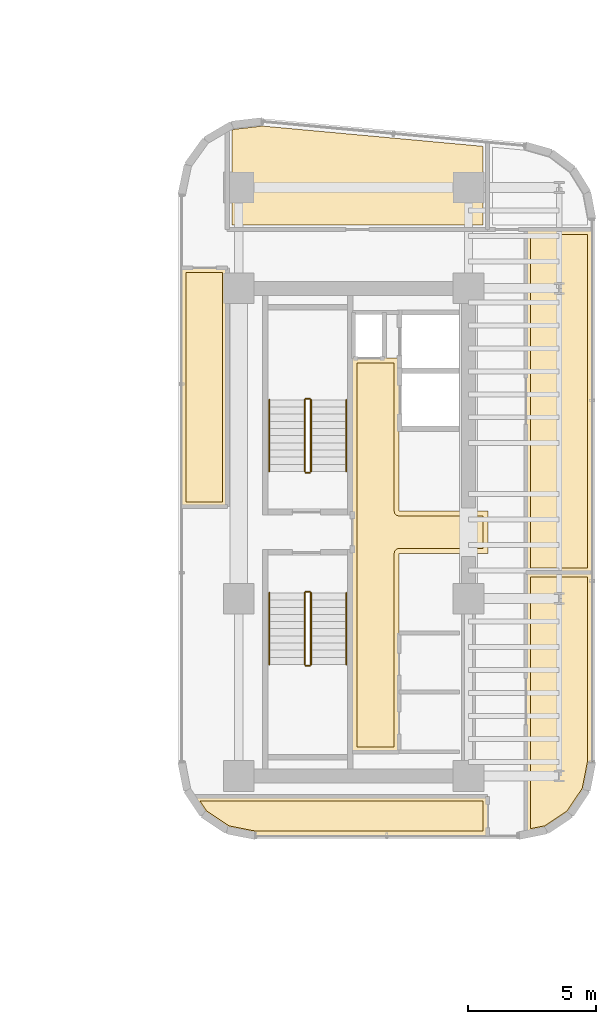
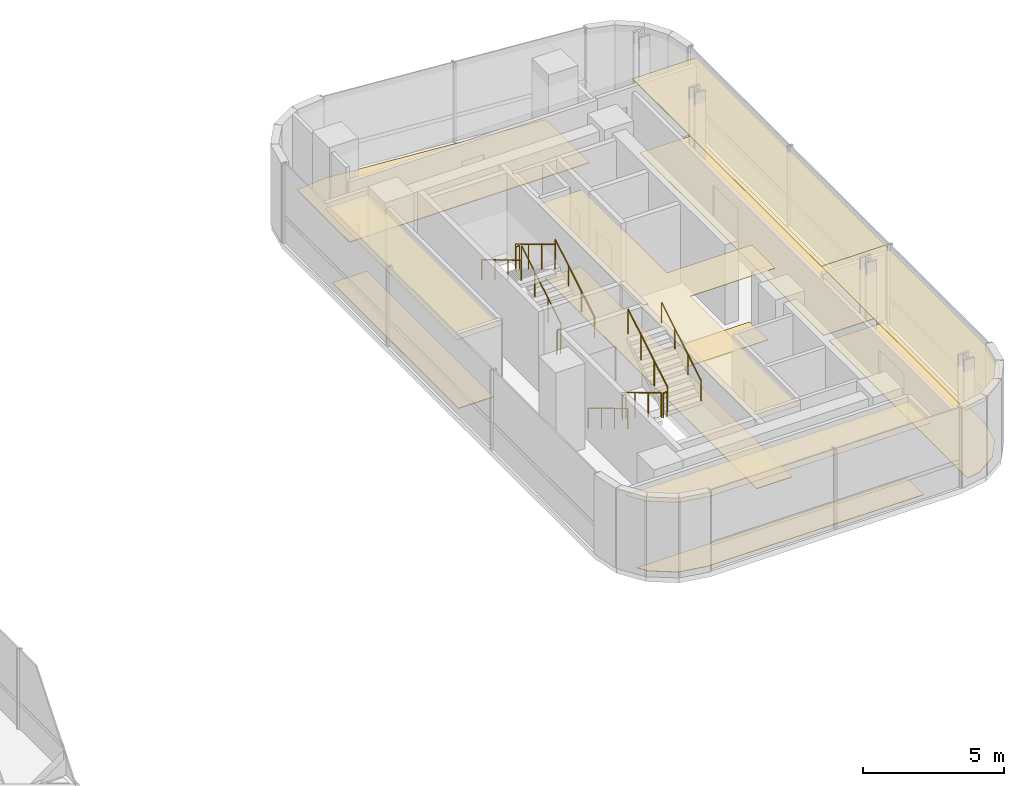
# One storey, part 33 of 34: 12 railings, 11 coverings.
"""IFC4 building model written with IfcOpenShell, lengths in metres."""

from ifc_helpers import new_model, si_unit, direction, frame, origin, origin_2d, place, context, subcontext, project, spatial, polyline, circle, outline, extrude, material, layer, layer_set, type_object, element, save


model = new_model("IFC4")

# Units and contexts
model_context = context("Model", 3, precision=1e-05, world=origin(), true_north=direction((0.0, 1.0)))
body_context = subcontext(model_context, "Body", "Model", "MODEL_VIEW")
ifc_project = project(units=[si_unit("LENGTHUNIT", "METRE"), si_unit("AREAUNIT", "SQUARE_METRE"), si_unit("VOLUMEUNIT", "CUBIC_METRE"), si_unit("PLANEANGLEUNIT", "RADIAN"), si_unit("MASSUNIT", "GRAM", prefix="KILO")], contexts=[model_context])

# Site, building, storey
site_placement = place(None, origin())
site = spatial("IfcSite", under=ifc_project, at=site_placement, CompositionType="ELEMENT")
building_placement = place(site_placement, origin())
building = spatial("IfcBuilding", under=site, at=building_placement, Name="Valdorenza Pilgrim Sanctuary Tower", CompositionType="ELEMENT")
storey_placement = place(building_placement, frame((0.0, 0.0, 161.199951171875)))
storey = spatial("IfcBuildingStorey", under=building, at=storey_placement, Name="L41", CompositionType="ELEMENT", Elevation=161.199951171875)

# Coverings
ifc_material_1 = material(Name="Micro-perforated acoustic mineral ceiling tile", Category="gypsum")
ifc_layer_1 = layer(ifc_material_1, 0.02490234375, Name="Micro-perforated acoustic mineral ceiling tile")
ifc_layer_set_1 = layer_set([ifc_layer_1], Name="Micro-perforated acoustic mineral ceiling tile")
covering_type_1 = type_object("IfcCoveringType", Name="COV-CLG-ACU", PredefinedType="CEILING", material=ifc_layer_set_1)
covering_1_placement = place(storey_placement, frame((0.0, 0.0, 3.16015625)))
element("IfcCovering", 1, at=covering_1_placement, inside=storey, type_object=covering_type_1, Name="L41 Core B Passenger Lift Lobby Acoustic Ceiling", PredefinedType="CEILING", context=body_context, shape_type="SweptSolid", body=[
    extrude(outline(polyline([(20.287109375, -0.814697265625), (20.287109375, 0.814697265625), (20.28662109375, 0.815185546875), (20.2861328125, 0.81640625), (20.28564453125, 0.81787109375), (20.285400390625, 0.819091796875), (20.28515625, 0.820556640625), (20.284912109375, 0.822021484375), (20.284912109375, 6.800048828125), (20.28515625, 6.801513671875), (20.285400390625, 6.802978515625), (20.28564453125, 6.804443359375), (20.2861328125, 6.8056640625), (20.286865234375, 6.80712890625), (20.28759765625, 6.808349609375), (20.288330078125, 6.8095703125), (20.289306640625, 6.810546875), (20.29052734375, 6.8115234375), (20.291748046875, 6.8125), (20.29296875, 6.813232421875), (20.294189453125, 6.81396484375), (20.295654296875, 6.814453125), (20.297119140625, 6.814697265625), (20.298583984375, 6.81494140625), (20.300048828125, 6.81494140625), (20.347900390625, 6.81494140625), (20.349365234375, 6.81494140625), (20.350830078125, 6.814697265625), (20.352294921875, 6.814453125), (20.353515625, 6.81396484375), (20.35498046875, 6.813232421875), (20.35546875, 6.81298828125), (21.544677734375, 6.81298828125), (21.545166015625, 6.813232421875), (21.54638671875, 6.81396484375), (21.5478515625, 6.814453125), (21.54931640625, 6.814697265625), (21.550537109375, 6.81494140625), (21.552001953125, 6.81494140625), (22.1201171875, 6.81494140625), (22.12158203125, 6.81494140625), (22.122802734375, 6.814697265625), (22.12451171875, 6.814453125), (22.125732421875, 6.81396484375), (22.127197265625, 6.813232421875), (22.12841796875, 6.8125), (22.12939453125, 6.8115234375), (22.130615234375, 6.810546875), (22.131591796875, 6.8095703125), (22.132568359375, 6.808349609375), (22.13330078125, 6.80712890625), (22.1337890625, 6.8056640625), (22.134521484375, 6.804443359375), (22.134765625, 6.802978515625), (22.135009765625, 6.801513671875), (22.135009765625, 6.800048828125), (22.135009765625, 0.8349609375), (25.60009765625, 0.8349609375), (25.6015625, 0.8349609375), (25.602783203125, 0.834716796875), (25.6044921875, 0.83447265625), (25.605712890625, 0.833984375), (25.607177734375, 0.833251953125), (25.6083984375, 0.83251953125), (25.609619140625, 0.83154296875), (25.610595703125, 0.83056640625), (25.611572265625, 0.82958984375), (25.612548828125, 0.828369140625), (25.61328125, 0.8271484375), (25.614013671875, 0.82568359375), (25.614501953125, 0.824462890625), (25.61474609375, 0.822998046875), (25.614990234375, 0.821533203125), (25.614990234375, 0.820068359375), (25.614990234375, -0.820068359375), (25.614990234375, -0.821533203125), (25.61474609375, -0.822998046875), (25.614501953125, -0.824462890625), (25.614013671875, -0.82568359375), (25.61328125, -0.8271484375), (25.612548828125, -0.828369140625), (25.611572265625, -0.82958984375), (25.610595703125, -0.83056640625), (25.609619140625, -0.83154296875), (25.6083984375, -0.83251953125), (25.607177734375, -0.833251953125), (25.605712890625, -0.833984375), (25.6044921875, -0.83447265625), (25.602783203125, -0.834716796875), (25.6015625, -0.8349609375), (25.60009765625, -0.8349609375), (22.135009765625, -0.8349609375), (22.135009765625, -8.60009765625), (22.135009765625, -8.6015625), (22.134765625, -8.602783203125), (22.134521484375, -8.6044921875), (22.1337890625, -8.605712890625), (22.13330078125, -8.607177734375), (22.132568359375, -8.6083984375), (22.131591796875, -8.609619140625), (22.130615234375, -8.610595703125), (22.12939453125, -8.611572265625), (22.12841796875, -8.612548828125), (22.127197265625, -8.61328125), (22.125732421875, -8.614013671875), (22.12451171875, -8.614501953125), (22.122802734375, -8.61474609375), (22.12158203125, -8.614990234375), (22.1201171875, -8.614990234375), (20.300048828125, -8.614990234375), (20.298583984375, -8.614990234375), (20.297119140625, -8.61474609375), (20.295654296875, -8.614501953125), (20.294189453125, -8.614013671875), (20.29296875, -8.61328125), (20.291748046875, -8.612548828125), (20.29052734375, -8.611572265625), (20.289306640625, -8.610595703125), (20.288330078125, -8.609619140625), (20.28759765625, -8.6083984375), (20.286865234375, -8.607177734375), (20.2861328125, -8.605712890625), (20.28564453125, -8.6044921875), (20.285400390625, -8.602783203125), (20.28515625, -8.6015625), (20.284912109375, -8.60009765625), (20.284912109375, -0.822021484375), (20.28515625, -0.820556640625), (20.285400390625, -0.819091796875), (20.28564453125, -0.81787109375), (20.2861328125, -0.81640625), (20.28662109375, -0.815185546875), (20.287109375, -0.814697265625)])), origin(), (0.0, 0.0, 1.0), 0.02490234375),
])
covering_2_placement = place(storey_placement, frame((0.0, 0.0, 3.16015625)))
element("IfcCovering", 2, at=covering_2_placement, inside=storey, type_object=covering_type_1, Name="L41 Sacred Manuscript Archive L41-BS Acoustic Ceiling", PredefinedType="CEILING", context=body_context, shape_type="SweptSolid", body=[
    extrude(outline(polyline([(25.614990234375, -11.889892578125), (25.614990234375, -11.8916015625), (25.61474609375, -11.892822265625), (25.614501953125, -11.894287109375), (25.614013671875, -11.895751953125), (25.61328125, -11.897216796875), (25.612548828125, -11.898193359375), (25.611572265625, -11.8994140625), (25.610595703125, -11.900634765625), (25.609619140625, -11.901611328125), (25.6083984375, -11.902587890625), (25.607177734375, -11.9033203125), (25.605712890625, -11.90380859375), (25.6044921875, -11.904296875), (25.602783203125, -11.90478515625), (25.6015625, -11.90478515625), (25.60009765625, -11.905029296875), (16.5107421875, -11.905029296875), (16.509521484375, -11.90478515625), (16.5078125, -11.90478515625), (15.391845703125, -11.6826171875), (15.390380859375, -11.682373046875), (15.38916015625, -11.681884765625), (15.3876953125, -11.68115234375), (15.386474609375, -11.680419921875), (14.44970703125, -11.054443359375), (14.448486328125, -11.0537109375), (14.447509765625, -11.052490234375), (14.4462890625, -11.051513671875), (14.445556640625, -11.05029296875), (13.983154296875, -10.3583984375), (13.982421875, -10.357177734375), (13.981689453125, -10.355712890625), (13.981201171875, -10.3544921875), (13.98095703125, -10.352783203125), (13.980712890625, -10.3515625), (13.980712890625, -10.35009765625), (13.980712890625, -10.348388671875), (13.98095703125, -10.34716796875), (13.981201171875, -10.345703125), (13.981689453125, -10.34423828125), (13.982421875, -10.343017578125), (13.983154296875, -10.341796875), (13.98388671875, -10.340576171875), (13.985107421875, -10.33935546875), (13.986083984375, -10.33837890625), (13.9873046875, -10.33740234375), (13.988525390625, -10.3369140625), (13.989990234375, -10.336181640625), (13.9912109375, -10.335693359375), (13.99267578125, -10.335205078125), (13.994140625, -10.335205078125), (13.99560546875, -10.3349609375), (25.60009765625, -10.3349609375), (25.6015625, -10.335205078125), (25.602783203125, -10.335205078125), (25.6044921875, -10.335693359375), (25.605712890625, -10.336181640625), (25.607177734375, -10.3369140625), (25.6083984375, -10.33740234375), (25.609619140625, -10.33837890625), (25.610595703125, -10.33935546875), (25.611572265625, -10.340576171875), (25.612548828125, -10.341796875), (25.61328125, -10.343017578125), (25.614013671875, -10.34423828125), (25.614501953125, -10.345703125), (25.61474609375, -10.34716796875), (25.614990234375, -10.348388671875), (25.614990234375, -10.35009765625), (25.614990234375, -11.889892578125)])), origin(), (0.0, 0.0, 1.0), 0.02490234375),
])
covering_3_placement = place(storey_placement, frame((0.0, 0.0, 3.16015625)))
element("IfcCovering", 3, at=covering_3_placement, inside=storey, type_object=covering_type_1, Name="L41 East Reading Lounge L41-EB1 Acoustic Ceiling", PredefinedType="CEILING", context=body_context, shape_type="SweptSolid", body=[
    extrude(outline(polyline([(29.68994140625, -1.56005859375), (29.69140625, -1.56005859375), (29.69287109375, -1.560302734375), (29.6943359375, -1.560546875), (29.69580078125, -1.56103515625), (29.697021484375, -1.561767578125), (29.6982421875, -1.5625), (29.699462890625, -1.5634765625), (29.70068359375, -1.564453125), (29.70166015625, -1.5654296875), (29.702392578125, -1.566650390625), (29.703125, -1.56787109375), (29.703857421875, -1.5693359375), (29.704345703125, -1.570556640625), (29.70458984375, -1.572021484375), (29.704833984375, -1.573486328125), (29.705078125, -1.574951171875), (29.705078125, -8.9892578125), (29.704833984375, -8.990478515625), (29.70458984375, -8.9921875), (29.482666015625, -10.108154296875), (29.482421875, -10.109619140625), (29.481689453125, -10.11083984375), (29.481201171875, -10.1123046875), (29.48046875, -10.113525390625), (28.8544921875, -11.05029296875), (28.853515625, -11.051513671875), (28.8525390625, -11.052490234375), (28.8515625, -11.0537109375), (28.850341796875, -11.054443359375), (27.91357421875, -11.680419921875), (27.912109375, -11.68115234375), (27.910888671875, -11.681884765625), (27.909423828125, -11.682373046875), (27.908203125, -11.6826171875), (27.102783203125, -11.843017578125), (27.1015625, -11.843017578125), (27.10009765625, -11.84326171875), (27.098388671875, -11.843017578125), (27.09716796875, -11.843017578125), (27.095703125, -11.842529296875), (27.09423828125, -11.842041015625), (27.093017578125, -11.84130859375), (27.091796875, -11.840576171875), (27.090576171875, -11.83984375), (27.08935546875, -11.8388671875), (27.08837890625, -11.837646484375), (27.08740234375, -11.83642578125), (27.0869140625, -11.835205078125), (27.086181640625, -11.833984375), (27.085693359375, -11.83251953125), (27.085205078125, -11.8310546875), (27.085205078125, -11.82958984375), (27.0849609375, -11.828125), (27.0849609375, -1.574951171875), (27.085205078125, -1.573486328125), (27.085205078125, -1.572021484375), (27.085693359375, -1.570556640625), (27.086181640625, -1.5693359375), (27.0869140625, -1.56787109375), (27.08740234375, -1.566650390625), (27.08837890625, -1.5654296875), (27.08935546875, -1.564453125), (27.090576171875, -1.5634765625), (27.091796875, -1.5625), (27.093017578125, -1.561767578125), (27.09423828125, -1.56103515625), (27.095703125, -1.560546875), (27.09716796875, -1.560302734375), (27.098388671875, -1.56005859375), (27.10009765625, -1.56005859375), (29.68994140625, -1.56005859375)])), origin(), (0.0, 0.0, 1.0), 0.02490234375),
])
covering_4_placement = place(storey_placement, frame((0.0, 0.0, 3.16015625)))
element("IfcCovering", 4, at=covering_4_placement, inside=storey, type_object=covering_type_1, Name="L41 East Reading Lounge L41-EB2 Acoustic Ceiling", PredefinedType="CEILING", context=body_context, shape_type="SweptSolid", body=[
    extrude(outline(polyline([(27.0849609375, 11.847900390625), (27.085205078125, 11.849609375), (27.085205078125, 11.850830078125), (27.085693359375, 11.852294921875), (27.086181640625, 11.853759765625), (27.0869140625, 11.85498046875), (27.08740234375, 11.856201171875), (27.08837890625, 11.857421875), (27.08935546875, 11.858642578125), (27.090576171875, 11.859619140625), (27.091796875, 11.860595703125), (27.093017578125, 11.861083984375), (27.09423828125, 11.86181640625), (27.095703125, 11.8623046875), (27.09716796875, 11.86279296875), (27.098388671875, 11.86279296875), (27.10009765625, 11.863037109375), (29.68994140625, 11.863037109375), (29.69140625, 11.86279296875), (29.69287109375, 11.86279296875), (29.6943359375, 11.8623046875), (29.69580078125, 11.86181640625), (29.697021484375, 11.861083984375), (29.6982421875, 11.860595703125), (29.699462890625, 11.859619140625), (29.70068359375, 11.858642578125), (29.70166015625, 11.857421875), (29.702392578125, 11.856201171875), (29.703125, 11.85498046875), (29.703857421875, 11.853759765625), (29.704345703125, 11.852294921875), (29.70458984375, 11.850830078125), (29.704833984375, 11.849609375), (29.705078125, 11.847900390625), (29.705078125, -1.572998046875), (29.704833984375, -1.574462890625), (29.70458984375, -1.575927734375), (29.704345703125, -1.577392578125), (29.703857421875, -1.57861328125), (29.703125, -1.580078125), (29.702392578125, -1.581298828125), (29.70166015625, -1.58251953125), (29.70068359375, -1.58349609375), (29.699462890625, -1.584716796875), (29.6982421875, -1.58544921875), (29.697021484375, -1.586181640625), (29.69580078125, -1.5869140625), (29.6943359375, -1.58740234375), (29.69287109375, -1.587646484375), (29.69140625, -1.587890625), (29.68994140625, -1.587890625), (27.10009765625, -1.587890625), (27.098388671875, -1.587890625), (27.09716796875, -1.587646484375), (27.095703125, -1.58740234375), (27.09423828125, -1.5869140625), (27.093017578125, -1.586181640625), (27.091796875, -1.58544921875), (27.090576171875, -1.584716796875), (27.08935546875, -1.58349609375), (27.08837890625, -1.58251953125), (27.08740234375, -1.581298828125), (27.0869140625, -1.580078125), (27.086181640625, -1.57861328125), (27.085693359375, -1.577392578125), (27.085205078125, -1.575927734375), (27.085205078125, -1.574462890625), (27.0849609375, -1.572998046875), (27.0849609375, 11.847900390625)])), origin(), (0.0, 0.0, 1.0), 0.02490234375),
])
covering_5_placement = place(storey_placement, frame((0.0, 0.0, 3.16015625)))
element("IfcCovering", 5, at=covering_5_placement, inside=storey, type_object=covering_type_1, Name="L41 Courtyard Overlook Salon L41 Acoustic Ceiling", PredefinedType="CEILING", context=body_context, shape_type="SweptSolid", body=[
    extrude(outline(polyline([(15.4150390625, 1.0), (15.414794921875, 0.99853515625), (15.414794921875, 0.9970703125), (15.414306640625, 0.99560546875), (15.413818359375, 0.994384765625), (15.4130859375, 0.992919921875), (15.41259765625, 0.99169921875), (15.41162109375, 0.990478515625), (15.41064453125, 0.989501953125), (15.409423828125, 0.98828125), (15.408203125, 0.987548828125), (15.406982421875, 0.98681640625), (15.40576171875, 0.986083984375), (15.404296875, 0.985595703125), (15.40283203125, 0.9853515625), (15.401611328125, 0.985107421875), (15.39990234375, 0.985107421875), (13.610107421875, 0.985107421875), (13.6083984375, 0.985107421875), (13.607177734375, 0.9853515625), (13.605712890625, 0.985595703125), (13.604248046875, 0.986083984375), (13.602783203125, 0.98681640625), (13.601806640625, 0.987548828125), (13.6005859375, 0.98828125), (13.599365234375, 0.989501953125), (13.598388671875, 0.990478515625), (13.597412109375, 0.99169921875), (13.5966796875, 0.992919921875), (13.59619140625, 0.994384765625), (13.595703125, 0.99560546875), (13.59521484375, 0.9970703125), (13.59521484375, 0.99853515625), (13.594970703125, 1.0), (13.594970703125, 10.35009765625), (13.59521484375, 10.3515625), (13.59521484375, 10.352783203125), (13.595703125, 10.3544921875), (13.59619140625, 10.355712890625), (13.5966796875, 10.357177734375), (13.597412109375, 10.3583984375), (13.598388671875, 10.359619140625), (13.599365234375, 10.360595703125), (13.6005859375, 10.361572265625), (13.601806640625, 10.362548828125), (13.602783203125, 10.36328125), (13.604248046875, 10.364013671875), (13.605712890625, 10.364501953125), (13.607177734375, 10.36474609375), (13.6083984375, 10.364990234375), (13.610107421875, 10.364990234375), (15.39990234375, 10.364990234375), (15.401611328125, 10.364990234375), (15.40283203125, 10.36474609375), (15.404296875, 10.364501953125), (15.40576171875, 10.364013671875), (15.406982421875, 10.36328125), (15.408203125, 10.362548828125), (15.409423828125, 10.361572265625), (15.41064453125, 10.360595703125), (15.41162109375, 10.359619140625), (15.41259765625, 10.3583984375), (15.4130859375, 10.357177734375), (15.413818359375, 10.355712890625), (15.414306640625, 10.3544921875), (15.414794921875, 10.352783203125), (15.414794921875, 10.3515625), (15.4150390625, 10.35009765625), (15.4150390625, 1.0)])), origin(), (0.0, 0.0, 1.0), 0.02490234375),
])
ifc_material_2 = material(Name="Honed travertine stone flooring", Category="masonry")
ifc_layer_2 = layer(ifc_material_2, 0.030029296875, Name="Honed travertine stone flooring")
ifc_layer_set_2 = layer_set([ifc_layer_2], Name="Honed travertine stone flooring")
covering_type_2 = type_object("IfcCoveringType", Name="COV-FLR-TRV", PredefinedType="FLOORING", material=ifc_layer_set_2)
covering_6_placement = place(storey_placement, origin())
element("IfcCovering", 6, at=covering_6_placement, inside=storey, type_object=covering_type_2, Name="L41 Core B Passenger Lift Lobby Flooring", PredefinedType="FLOORING", context=body_context, shape_type="SweptSolid", body=[
    extrude(outline(polyline([(20.47998046875, 6.617919921875), (21.550048828125, 6.617919921875), (21.550537109375, 6.617919921875), (21.93994140625, 6.619384765625), (21.93994140625, 0.820068359375), (21.94091796875, 0.802490234375), (21.943603515625, 0.784912109375), (21.94775390625, 0.767578125), (21.95361328125, 0.751220703125), (21.961181640625, 0.735107421875), (21.97021484375, 0.719970703125), (21.98095703125, 0.705810546875), (21.99267578125, 0.692626953125), (22.005859375, 0.680908203125), (22.02001953125, 0.67041015625), (22.03515625, 0.661376953125), (22.051025390625, 0.65380859375), (22.067626953125, 0.647705078125), (22.0849609375, 0.6435546875), (22.102294921875, 0.640869140625), (22.1201171875, 0.639892578125), (25.419921875, 0.639892578125), (25.419921875, -0.639892578125), (22.1201171875, -0.639892578125), (22.102294921875, -0.640869140625), (22.0849609375, -0.6435546875), (22.067626953125, -0.647705078125), (22.051025390625, -0.65380859375), (22.03515625, -0.661376953125), (22.02001953125, -0.67041015625), (22.005859375, -0.680908203125), (21.99267578125, -0.692626953125), (21.98095703125, -0.705810546875), (21.97021484375, -0.719970703125), (21.961181640625, -0.735107421875), (21.95361328125, -0.751220703125), (21.94775390625, -0.767578125), (21.943603515625, -0.784912109375), (21.94091796875, -0.802490234375), (21.93994140625, -0.820068359375), (21.93994140625, -8.419921875), (20.47998046875, -8.419921875), (20.47998046875, -0.846923828125), (20.47998046875, -0.8466796875), (20.47998046875, -0.8466796875), (20.481689453125, -0.8291015625), (20.481689453125, -0.828857421875), (20.48193359375, -0.820068359375), (20.48193359375, 0.820068359375), (20.47998046875, 6.617919921875)])), origin(), (0.0, 0.0, 1.0), 0.025146484375),
])
covering_7_placement = place(storey_placement, origin())
element("IfcCovering", 7, at=covering_7_placement, inside=storey, type_object=covering_type_2, Name="L41 Curator Research Office L41-BN1 Flooring", PredefinedType="FLOORING", context=body_context, shape_type="SweptSolid", body=[
    extrude(outline(polyline([(15.580078125, 12.030029296875), (15.580078125, 15.7392578125), (15.6396484375, 15.7744140625), (16.7783203125, 15.906982421875), (25.419921875, 15.11181640625), (25.419921875, 12.030029296875), (15.580078125, 12.030029296875)])), origin(), (0.0, 0.0, 1.0), 0.025146484375),
])
covering_8_placement = place(storey_placement, origin())
element("IfcCovering", 8, at=covering_8_placement, inside=storey, type_object=covering_type_2, Name="L41 Sacred Manuscript Archive L41-BS Flooring", PredefinedType="FLOORING", context=body_context, shape_type="SweptSolid", body=[
    extrude(outline(polyline([(25.419921875, -11.7099609375), (16.528564453125, -11.7099609375), (15.465087890625, -11.498291015625), (14.587890625, -10.912109375), (14.33251953125, -10.530029296875), (25.419921875, -10.530029296875), (25.419921875, -11.7099609375)])), origin(), (0.0, 0.0, 1.0), 0.025146484375),
])
covering_9_placement = place(storey_placement, origin())
element("IfcCovering", 9, at=covering_9_placement, inside=storey, type_object=covering_type_2, Name="L41 East Reading Lounge L41-EB1 Flooring", PredefinedType="FLOORING", context=body_context, shape_type="SweptSolid", body=[
    extrude(outline(polyline([(29.510009765625, -1.7548828125), (29.510009765625, -8.971435546875), (29.29833984375, -10.034912109375), (28.712158203125, -10.912109375), (27.8349609375, -11.498291015625), (27.280029296875, -11.60888671875), (27.280029296875, -1.7548828125), (29.510009765625, -1.7548828125)])), origin(), (0.0, 0.0, 1.0), 0.025146484375),
])
covering_10_placement = place(storey_placement, origin())
element("IfcCovering", 10, at=covering_10_placement, inside=storey, type_object=covering_type_2, Name="L41 East Reading Lounge L41-EB2 Flooring", PredefinedType="FLOORING", context=body_context, shape_type="SweptSolid", body=[
    extrude(outline(polyline([(27.280029296875, 11.66796875), (29.510009765625, 11.66796875), (29.510009765625, -1.39306640625), (27.280029296875, -1.39306640625), (27.280029296875, 11.66796875)])), origin(), (0.0, 0.0, 1.0), 0.025146484375),
])
covering_11_placement = place(storey_placement, origin())
element("IfcCovering", 11, at=covering_11_placement, inside=storey, type_object=covering_type_2, Name="L41 Courtyard Overlook Salon L41 Flooring", PredefinedType="FLOORING", context=body_context, shape_type="SweptSolid", body=[
    extrude(outline(polyline([(15.219970703125, 1.179931640625), (13.7900390625, 1.179931640625), (13.7900390625, 10.169921875), (15.219970703125, 10.169921875), (15.219970703125, 1.179931640625)])), origin(), (0.0, 0.0, 1.0), 0.025146484375),
])

# Railings
ifc_material_3 = material(Name="Stainless steel Grade 316", Category="steel")
railing_type_1 = type_object("IfcRailingType", Name="RLG-GRD-1120", PredefinedType="GUARDRAIL", material=ifc_material_3)
railing_1_placement = place(storey_placement, frame((18.679931640625, 2.3798828125, 0.168212890625)))
element("IfcRailing", 12, at=railing_1_placement, inside=storey, type_object=railing_type_1, Name="L41 ST-B1 stair guard 1", PredefinedType="GUARDRAIL", context=body_context, shape_type="SweptSolid", body=[
    extrude(circle(Radius=0.02392578125, at=origin_2d()), frame((0.0, 0.0, 1.076171875), z_axis=(0.0, 0.857242210791, 0.514913383045), x_axis=(-1.0, 0.0, 0.0)), (0.0, 0.0, 1.0), 3.266357421875),
    extrude(circle(Radius=0.02099609375, at=origin_2d()), origin(), (0.0, 0.0, 1.0), 1.052001953125),
    extrude(circle(Radius=0.02099609375, at=origin_2d()), frame((0.0, 0.933349609375, 0.560546875)), (0.0, 0.0, 1.0), 1.052001953125),
    extrude(circle(Radius=0.02099609375, at=origin_2d()), frame((0.0, 1.86669921875, 1.121337890625)), (0.0, 0.0, 1.0), 1.052001953125),
    extrude(circle(Radius=0.02099609375, at=origin_2d()), frame((0.0, 2.800048828125, 1.681884765625)), (0.0, 0.0, 1.0), 1.052001953125),
])
railing_2_placement = place(storey_placement, frame((18.6298828125, 5.22998046875, 1.85009765625)))
element("IfcRailing", 13, at=railing_2_placement, inside=storey, type_object=railing_type_1, Name="L41 ST-B1 stair guard 2", PredefinedType="GUARDRAIL", context=body_context, shape_type="SweptSolid", body=[
    extrude(circle(Radius=0.02392578125, at=origin_2d()), frame((0.0, 0.0, 1.076171875), z_axis=(-1.0, 0.0, 0.0), x_axis=(0.0, -1.0, 0.0)), (0.0, 0.0, 1.0), 0.14990234375),
    extrude(circle(Radius=0.02099609375, at=origin_2d()), origin(), (0.0, 0.0, 1.0), 1.052001953125),
    extrude(circle(Radius=0.02099609375, at=origin_2d()), frame((-0.14990234375, 0.0, 0.0)), (0.0, 0.0, 1.0), 1.052001953125),
])
railing_3_placement = place(storey_placement, frame((18.429931640625, 5.179931640625, 2.018310546875)))
element("IfcRailing", 14, at=railing_3_placement, inside=storey, type_object=railing_type_1, Name="L41 ST-B1 stair guard 3", PredefinedType="GUARDRAIL", context=body_context, shape_type="SweptSolid", body=[
    extrude(circle(Radius=0.02392578125, at=origin_2d()), frame((0.0, 0.0, 1.076171875), z_axis=(0.0, -0.857275202839, 0.514858452973), x_axis=(1.0, 0.0, 0.0)), (0.0, 0.0, 1.0), 3.26611328125),
    extrude(circle(Radius=0.02099609375, at=origin_2d()), origin(), (0.0, 0.0, 1.0), 1.052001953125),
    extrude(circle(Radius=0.02099609375, at=origin_2d()), frame((0.0, -0.933349609375, 0.560546875)), (0.0, 0.0, 1.0), 1.052001953125),
    extrude(circle(Radius=0.02099609375, at=origin_2d()), frame((0.0, -1.86669921875, 1.12109375)), (0.0, 0.0, 1.0), 1.052001953125),
    extrude(circle(Radius=0.02099609375, at=origin_2d()), frame((0.0, -2.800048828125, 1.681640625)), (0.0, 0.0, 1.0), 1.052001953125),
])
railing_4_placement = place(storey_placement, frame((18.6298828125, 2.330078125, 0.0)))
element("IfcRailing", 15, at=railing_4_placement, inside=storey, type_object=railing_type_1, Name="L41 ST-B1 stair guard 4", PredefinedType="GUARDRAIL", context=body_context, shape_type="SweptSolid", body=[
    extrude(circle(Radius=0.02392578125, at=origin_2d()), frame((0.0, 0.0, 1.076171875), z_axis=(-1.0, 0.0, 0.0), x_axis=(0.0, -1.0, 0.0)), (0.0, 0.0, 1.0), 0.14990234375),
    extrude(circle(Radius=0.02099609375, at=origin_2d()), origin(), (0.0, 0.0, 1.0), 1.052001953125),
    extrude(circle(Radius=0.02099609375, at=origin_2d()), frame((-0.14990234375, 0.0, 0.0)), (0.0, 0.0, 1.0), 1.052001953125),
])
railing_5_placement = place(storey_placement, frame((18.429931640625, -2.3798828125, 0.168212890625)))
element("IfcRailing", 16, at=railing_5_placement, inside=storey, type_object=railing_type_1, Name="L41 ST-B2 stair guard 1", PredefinedType="GUARDRAIL", context=body_context, shape_type="SweptSolid", body=[
    extrude(circle(Radius=0.02392578125, at=origin_2d()), frame((0.0, 0.0, 1.076171875), z_axis=(0.0, -0.857242210791, 0.514913383045), x_axis=(1.0, 0.0, 0.0)), (0.0, 0.0, 1.0), 3.266357421875),
    extrude(circle(Radius=0.02099609375, at=origin_2d()), origin(), (0.0, 0.0, 1.0), 1.052001953125),
    extrude(circle(Radius=0.02099609375, at=origin_2d()), frame((0.0, -0.933349609375, 0.560546875)), (0.0, 0.0, 1.0), 1.052001953125),
    extrude(circle(Radius=0.02099609375, at=origin_2d()), frame((0.0, -1.86669921875, 1.121337890625)), (0.0, 0.0, 1.0), 1.052001953125),
    extrude(circle(Radius=0.02099609375, at=origin_2d()), frame((0.0, -2.800048828125, 1.681884765625)), (0.0, 0.0, 1.0), 1.052001953125),
])
railing_6_placement = place(storey_placement, frame((18.47998046875, -5.22998046875, 1.85009765625)))
element("IfcRailing", 17, at=railing_6_placement, inside=storey, type_object=railing_type_1, Name="L41 ST-B2 stair guard 2", PredefinedType="GUARDRAIL", context=body_context, shape_type="SweptSolid", body=[
    extrude(circle(Radius=0.02392578125, at=origin_2d()), frame((0.0, 0.0, 1.076171875), z_axis=(1.0, 0.0, 0.0), x_axis=(0.0, 1.0, 0.0)), (0.0, 0.0, 1.0), 0.14990234375),
    extrude(circle(Radius=0.02099609375, at=origin_2d()), origin(), (0.0, 0.0, 1.0), 1.052001953125),
    extrude(circle(Radius=0.02099609375, at=origin_2d()), frame((0.14990234375, 0.0, 0.0)), (0.0, 0.0, 1.0), 1.052001953125),
])
railing_7_placement = place(storey_placement, frame((18.679931640625, -5.179931640625, 2.018310546875)))
element("IfcRailing", 18, at=railing_7_placement, inside=storey, type_object=railing_type_1, Name="L41 ST-B2 stair guard 3", PredefinedType="GUARDRAIL", context=body_context, shape_type="SweptSolid", body=[
    extrude(circle(Radius=0.02392578125, at=origin_2d()), frame((0.0, 0.0, 1.076171875), z_axis=(0.0, 0.857275202839, 0.514858452973), x_axis=(-1.0, 0.0, 0.0)), (0.0, 0.0, 1.0), 3.26611328125),
    extrude(circle(Radius=0.02099609375, at=origin_2d()), origin(), (0.0, 0.0, 1.0), 1.052001953125),
    extrude(circle(Radius=0.02099609375, at=origin_2d()), frame((0.0, 0.933349609375, 0.560546875)), (0.0, 0.0, 1.0), 1.052001953125),
    extrude(circle(Radius=0.02099609375, at=origin_2d()), frame((0.0, 1.86669921875, 1.12109375)), (0.0, 0.0, 1.0), 1.052001953125),
    extrude(circle(Radius=0.02099609375, at=origin_2d()), frame((0.0, 2.800048828125, 1.681640625)), (0.0, 0.0, 1.0), 1.052001953125),
])
railing_8_placement = place(storey_placement, frame((18.47998046875, -2.330078125, 0.0)))
element("IfcRailing", 19, at=railing_8_placement, inside=storey, type_object=railing_type_1, Name="L41 ST-B2 stair guard 4", PredefinedType="GUARDRAIL", context=body_context, shape_type="SweptSolid", body=[
    extrude(circle(Radius=0.02392578125, at=origin_2d()), frame((0.0, 0.0, 1.076171875), z_axis=(1.0, 0.0, 0.0), x_axis=(0.0, 1.0, 0.0)), (0.0, 0.0, 1.0), 0.14990234375),
    extrude(circle(Radius=0.02099609375, at=origin_2d()), origin(), (0.0, 0.0, 1.0), 1.052001953125),
    extrude(circle(Radius=0.02099609375, at=origin_2d()), frame((0.14990234375, 0.0, 0.0)), (0.0, 0.0, 1.0), 1.052001953125),
])
ifc_material_4 = material(Name="Brushed stainless steel Grade 316", Category="steel")
railing_type_2 = type_object("IfcRailingType", Name="RLG-HND-920", PredefinedType="HANDRAIL", material=ifc_material_4)
railing_9_placement = place(storey_placement, frame((20.06005859375, 2.3798828125, 0.168212890625)))
element("IfcRailing", 20, at=railing_9_placement, inside=storey, type_object=railing_type_2, Name="L41 ST-B1 stair handrail 1", PredefinedType="HANDRAIL", context=body_context, shape_type="SweptSolid", body=[
    extrude(circle(Radius=0.02392578125, at=origin_2d()), frame((0.0, 0.0, 0.8759765625), z_axis=(0.0, 0.857242210791, 0.514913383045), x_axis=(-1.0, 0.0, 0.0)), (0.0, 0.0, 1.0), 3.266357421875),
    extrude(circle(Radius=0.02099609375, at=origin_2d()), origin(), (0.0, 0.0, 1.0), 0.851806640625),
    extrude(circle(Radius=0.02099609375, at=origin_2d()), frame((0.0, 0.933349609375, 0.560546875)), (0.0, 0.0, 1.0), 0.851806640625),
    extrude(circle(Radius=0.02099609375, at=origin_2d()), frame((0.0, 1.86669921875, 1.121337890625)), (0.0, 0.0, 1.0), 0.851806640625),
    extrude(circle(Radius=0.02099609375, at=origin_2d()), frame((0.0, 2.800048828125, 1.681884765625)), (0.0, 0.0, 1.0), 0.851806640625),
])
railing_10_placement = place(storey_placement, frame((17.050048828125, 5.179931640625, 2.018310546875)))
element("IfcRailing", 21, at=railing_10_placement, inside=storey, type_object=railing_type_2, Name="L41 ST-B1 stair handrail 2", PredefinedType="HANDRAIL", context=body_context, shape_type="SweptSolid", body=[
    extrude(circle(Radius=0.02392578125, at=origin_2d()), frame((0.0, 0.0, 0.8759765625), z_axis=(0.0, -0.857275202839, 0.514858452973), x_axis=(1.0, 0.0, 0.0)), (0.0, 0.0, 1.0), 3.26611328125),
    extrude(circle(Radius=0.02099609375, at=origin_2d()), origin(), (0.0, 0.0, 1.0), 0.851806640625),
    extrude(circle(Radius=0.02099609375, at=origin_2d()), frame((0.0, -0.933349609375, 0.560546875)), (0.0, 0.0, 1.0), 0.851806640625),
    extrude(circle(Radius=0.02099609375, at=origin_2d()), frame((0.0, -1.86669921875, 1.12109375)), (0.0, 0.0, 1.0), 0.851806640625),
    extrude(circle(Radius=0.02099609375, at=origin_2d()), frame((0.0, -2.800048828125, 1.681640625)), (0.0, 0.0, 1.0), 0.851806640625),
])
railing_11_placement = place(storey_placement, frame((17.050048828125, -2.3798828125, 0.168212890625)))
element("IfcRailing", 22, at=railing_11_placement, inside=storey, type_object=railing_type_2, Name="L41 ST-B2 stair handrail 1", PredefinedType="HANDRAIL", context=body_context, shape_type="SweptSolid", body=[
    extrude(circle(Radius=0.02392578125, at=origin_2d()), frame((0.0, 0.0, 0.8759765625), z_axis=(0.0, -0.857242210791, 0.514913383045), x_axis=(1.0, 0.0, 0.0)), (0.0, 0.0, 1.0), 3.266357421875),
    extrude(circle(Radius=0.02099609375, at=origin_2d()), origin(), (0.0, 0.0, 1.0), 0.851806640625),
    extrude(circle(Radius=0.02099609375, at=origin_2d()), frame((0.0, -0.933349609375, 0.560546875)), (0.0, 0.0, 1.0), 0.851806640625),
    extrude(circle(Radius=0.02099609375, at=origin_2d()), frame((0.0, -1.86669921875, 1.121337890625)), (0.0, 0.0, 1.0), 0.851806640625),
    extrude(circle(Radius=0.02099609375, at=origin_2d()), frame((0.0, -2.800048828125, 1.681884765625)), (0.0, 0.0, 1.0), 0.851806640625),
])
railing_12_placement = place(storey_placement, frame((20.06005859375, -5.179931640625, 2.018310546875)))
element("IfcRailing", 23, at=railing_12_placement, inside=storey, type_object=railing_type_2, Name="L41 ST-B2 stair handrail 2", PredefinedType="HANDRAIL", context=body_context, shape_type="SweptSolid", body=[
    extrude(circle(Radius=0.02392578125, at=origin_2d()), frame((0.0, 0.0, 0.8759765625), z_axis=(0.0, 0.857275202839, 0.514858452973), x_axis=(-1.0, 0.0, 0.0)), (0.0, 0.0, 1.0), 3.26611328125),
    extrude(circle(Radius=0.02099609375, at=origin_2d()), origin(), (0.0, 0.0, 1.0), 0.851806640625),
    extrude(circle(Radius=0.02099609375, at=origin_2d()), frame((0.0, 0.933349609375, 0.560546875)), (0.0, 0.0, 1.0), 0.851806640625),
    extrude(circle(Radius=0.02099609375, at=origin_2d()), frame((0.0, 1.86669921875, 1.12109375)), (0.0, 0.0, 1.0), 0.851806640625),
    extrude(circle(Radius=0.02099609375, at=origin_2d()), frame((0.0, 2.800048828125, 1.681640625)), (0.0, 0.0, 1.0), 0.851806640625),
])

save(model, "model.ifc")
